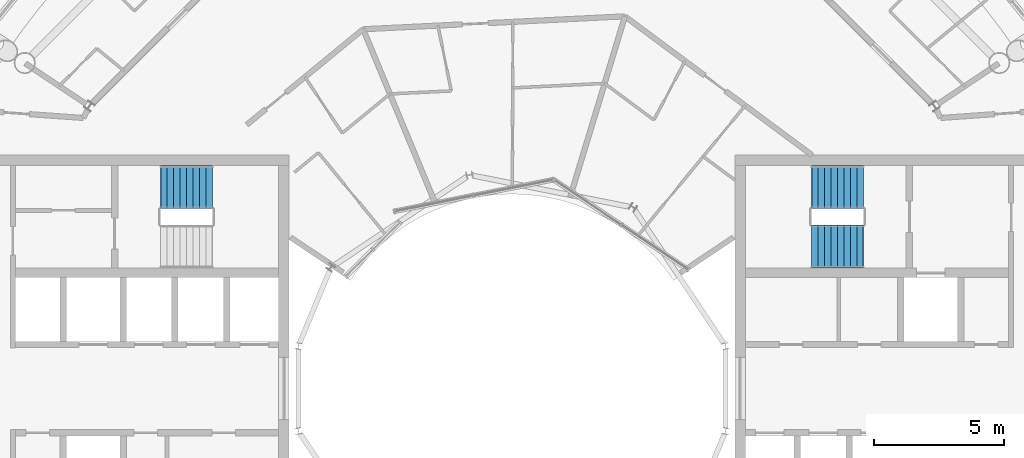
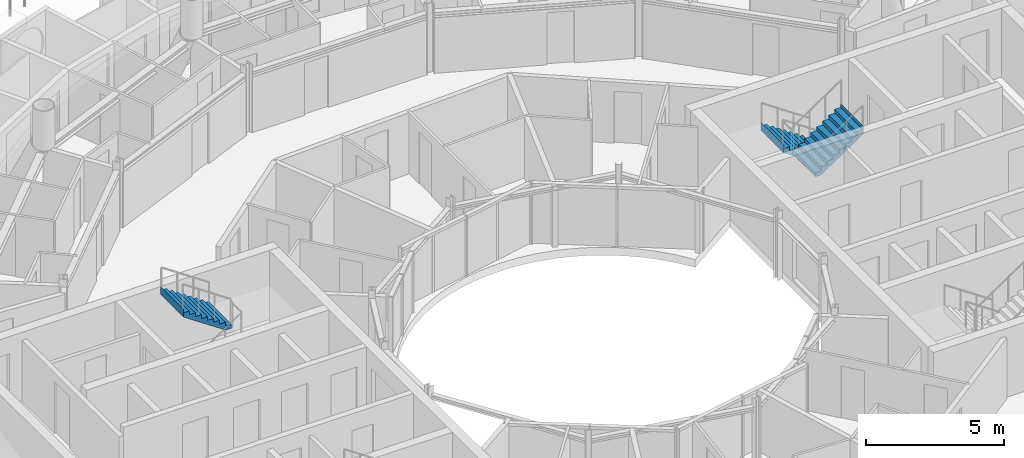
# One storey, part 23 of 25: 3 stair flights, 2 elements without a shape of their own.
"""IFC4 building model written with IfcOpenShell, lengths in metres."""

from ifc_helpers import new_model, si_unit, direction, frame, origin, place, context, subcontext, project, spatial, triangles, material, type_object, element, aggregate, save


model = new_model("IFC4")

# Units and contexts
model_context = context("Model", 3, precision=1e-05, world=origin(), true_north=direction((0.0, 1.0)))
body_context = subcontext(model_context, "Body", "Model", "MODEL_VIEW")
ifc_project = project(units=[si_unit("LENGTHUNIT", "METRE"), si_unit("AREAUNIT", "SQUARE_METRE"), si_unit("VOLUMEUNIT", "CUBIC_METRE"), si_unit("PLANEANGLEUNIT", "RADIAN"), si_unit("MASSUNIT", "GRAM", prefix="KILO")], contexts=[model_context])

# Site, building, storey
site_placement = place(None, origin())
site = spatial("IfcSite", under=ifc_project, at=site_placement, CompositionType="ELEMENT")
building_placement = place(site_placement, origin())
building = spatial("IfcBuilding", under=site, at=building_placement, Name="Maasbend Ring Residences", CompositionType="ELEMENT")
storey_placement = place(building_placement, frame((0.0, 0.0, 246.25)))
storey = spatial("IfcBuildingStorey", under=building, at=storey_placement, Name="L71", CompositionType="ELEMENT", Elevation=246.25)

# Stair, stair flights
ifc_material_1 = material(Name="Concrete C40/50", Category="concrete")
stair_type = type_object("IfcStairType", Name="CORE STAIR 18 RISERS", PredefinedType="HALF_TURN_STAIR", material=ifc_material_1)
stair_1_placement = place(storey_placement, origin())
stair_1 = element("IfcStair", 1, at=stair_1_placement, inside=storey, type_object=stair_type, Name="L71 Exit stair ST-E1", PredefinedType="HALF_TURN_STAIR")
ifc_material_2 = material(Name="Concrete C40/50", Category="concrete")
stair_flight_type = type_object("IfcStairFlightType", Name="CORE STAIR FLIGHT 1650", PredefinedType="STRAIGHT", material=ifc_material_2)
stair_flight_1_placement = place(storey_placement, frame((13.550048828125, 7.77490234375, 0.0), z_axis=(0.0, 0.0, 1.0), x_axis=(-1.0, 0.0, 0.0)))
stair_flight_1 = element("IfcStairFlight", 2, at=stair_flight_1_placement, type_object=stair_flight_type, Name="ST-E1 flight 1", NumberOfRisers=9, NumberOfTreads=8, PredefinedType="STRAIGHT", RiserHeight=0.169444444, TreadLength=0.25, context=body_context, shape_type="Tessellation", body=[
    triangles([(0.24072265625, 0.824951171875, -0.02001953125), (2.0029296875, 0.824951171875, 1.174560546875), (2.0029296875, 0.824951171875, 1.52490234375), (1.989990234375, 0.824951171875, 1.35546875), (1.75, 0.824951171875, 1.35546875), (1.75, 0.824951171875, 1.18603515625), (1.5, 0.824951171875, 1.18603515625), (1.5, 0.824951171875, 1.0166015625), (1.25, 0.824951171875, 1.0166015625), (1.25, 0.824951171875, 0.84716796875), (1.0, 0.824951171875, 0.84716796875), (1.0, 0.824951171875, 0.677734375), (0.75, 0.824951171875, 0.677734375), (0.75, 0.824951171875, 0.50830078125), (0.5, 0.824951171875, 0.50830078125), (0.5, 0.824951171875, 0.3388671875), (0.25, 0.824951171875, 0.3388671875), (0.25, 0.824951171875, 0.16943359375), (0.0, 0.824951171875, 0.16943359375), (0.0, 0.824951171875, 0.0), (-0.0029296875, 0.824951171875, 0.0), (-0.0029296875, 0.824951171875, -0.02001953125), (0.24072265625, 0.27490234375, -0.02001953125), (2.0029296875, 0.27490234375, 1.174560546875), (2.0029296875, 0.27490234375, 1.52490234375), (1.989990234375, 0.27490234375, 1.35546875), (1.75, 0.27490234375, 1.35546875), (1.75, 0.27490234375, 1.18603515625), (1.5, 0.27490234375, 1.18603515625), (1.5, 0.27490234375, 1.0166015625), (1.25, 0.27490234375, 1.0166015625), (1.25, 0.27490234375, 0.84716796875), (1.0, 0.27490234375, 0.84716796875), (1.0, 0.27490234375, 0.677734375), (0.75, 0.27490234375, 0.677734375), (0.75, 0.27490234375, 0.50830078125), (0.5, 0.27490234375, 0.50830078125), (0.5, 0.27490234375, 0.3388671875), (0.25, 0.27490234375, 0.3388671875), (0.25, 0.27490234375, 0.16943359375), (0.0, 0.27490234375, 0.16943359375), (0.0, 0.27490234375, 0.0), (-0.0029296875, 0.27490234375, 0.0), (-0.0029296875, 0.27490234375, -0.02001953125), (0.24072265625, -0.27490234375, -0.02001953125), (2.0029296875, -0.27490234375, 1.174560546875), (2.0029296875, -0.27490234375, 1.52490234375), (1.989990234375, -0.27490234375, 1.35546875), (1.75, -0.27490234375, 1.35546875), (1.75, -0.27490234375, 1.18603515625), (1.5, -0.27490234375, 1.18603515625), (1.5, -0.27490234375, 1.0166015625), (1.25, -0.27490234375, 1.0166015625), (1.25, -0.27490234375, 0.84716796875), (1.0, -0.27490234375, 0.84716796875), (1.0, -0.27490234375, 0.677734375), (0.75, -0.27490234375, 0.677734375), (0.75, -0.27490234375, 0.50830078125), (0.5, -0.27490234375, 0.50830078125), (0.5, -0.27490234375, 0.3388671875), (0.25, -0.27490234375, 0.3388671875), (0.25, -0.27490234375, 0.16943359375), (0.0, -0.27490234375, 0.16943359375), (0.0, -0.27490234375, 0.0), (-0.0029296875, -0.27490234375, 0.0), (-0.0029296875, -0.27490234375, -0.02001953125), (0.24072265625, -0.824951171875, -0.02001953125), (2.0029296875, -0.824951171875, 1.174560546875), (2.0029296875, -0.824951171875, 1.52490234375), (1.989990234375, -0.824951171875, 1.35546875), (1.75, -0.824951171875, 1.35546875), (1.75, -0.824951171875, 1.18603515625), (1.5, -0.824951171875, 1.18603515625), (1.5, -0.824951171875, 1.0166015625), (1.25, -0.824951171875, 1.0166015625), (1.25, -0.824951171875, 0.84716796875), (1.0, -0.824951171875, 0.84716796875), (1.0, -0.824951171875, 0.677734375), (0.75, -0.824951171875, 0.677734375), (0.75, -0.824951171875, 0.50830078125), (0.5, -0.824951171875, 0.50830078125), (0.5, -0.824951171875, 0.3388671875), (0.25, -0.824951171875, 0.3388671875), (0.25, -0.824951171875, 0.16943359375), (0.0, -0.824951171875, 0.16943359375), (0.0, -0.824951171875, 0.0), (-0.0029296875, -0.824951171875, 0.0), (-0.0029296875, -0.824951171875, -0.02001953125)], [[1, 2, 24], [1, 24, 23], [23, 24, 46], [23, 46, 45], [45, 46, 68], [45, 68, 67], [2, 3, 25], [2, 25, 24], [24, 25, 47], [24, 47, 46], [46, 47, 69], [46, 69, 68], [3, 4, 26], [3, 26, 25], [25, 26, 48], [25, 48, 47], [47, 48, 70], [47, 70, 69], [4, 5, 27], [4, 27, 26], [26, 27, 49], [26, 49, 48], [48, 49, 71], [48, 71, 70], [5, 6, 28], [5, 28, 27], [27, 28, 50], [27, 50, 49], [49, 50, 72], [49, 72, 71], [6, 7, 29], [6, 29, 28], [28, 29, 51], [28, 51, 50], [50, 51, 73], [50, 73, 72], [7, 8, 30], [7, 30, 29], [29, 30, 52], [29, 52, 51], [51, 52, 74], [51, 74, 73], [8, 9, 31], [8, 31, 30], [30, 31, 53], [30, 53, 52], [52, 53, 75], [52, 75, 74], [9, 10, 32], [9, 32, 31], [31, 32, 54], [31, 54, 53], [53, 54, 76], [53, 76, 75], [10, 11, 33], [10, 33, 32], [32, 33, 55], [32, 55, 54], [54, 55, 77], [54, 77, 76], [11, 12, 34], [11, 34, 33], [33, 34, 56], [33, 56, 55], [55, 56, 78], [55, 78, 77], [12, 13, 35], [12, 35, 34], [34, 35, 57], [34, 57, 56], [56, 57, 79], [56, 79, 78], [13, 14, 36], [13, 36, 35], [35, 36, 58], [35, 58, 57], [57, 58, 80], [57, 80, 79], [14, 15, 37], [14, 37, 36], [36, 37, 59], [36, 59, 58], [58, 59, 81], [58, 81, 80], [15, 16, 38], [15, 38, 37], [37, 38, 60], [37, 60, 59], [59, 60, 82], [59, 82, 81], [16, 17, 39], [16, 39, 38], [38, 39, 61], [38, 61, 60], [60, 61, 83], [60, 83, 82], [17, 18, 40], [17, 40, 39], [39, 40, 62], [39, 62, 61], [61, 62, 84], [61, 84, 83], [18, 19, 41], [18, 41, 40], [40, 41, 63], [40, 63, 62], [62, 63, 85], [62, 85, 84], [19, 20, 42], [19, 42, 41], [41, 42, 64], [41, 64, 63], [63, 64, 86], [63, 86, 85], [20, 21, 43], [20, 43, 42], [42, 43, 65], [42, 65, 64], [64, 65, 87], [64, 87, 86], [21, 22, 44], [21, 44, 43], [43, 44, 66], [43, 66, 65], [65, 66, 88], [65, 88, 87], [22, 1, 23], [22, 23, 44], [44, 23, 45], [44, 45, 66], [66, 45, 67], [66, 67, 88], [22, 2, 1], [2, 4, 3], [2, 5, 4], [2, 6, 5], [22, 6, 2], [6, 8, 7], [22, 8, 6], [8, 10, 9], [22, 10, 8], [10, 12, 11], [22, 12, 10], [12, 14, 13], [22, 14, 12], [14, 16, 15], [22, 16, 14], [16, 18, 17], [22, 18, 16], [18, 20, 19], [22, 20, 18], [20, 22, 21], [88, 67, 68], [68, 69, 70], [68, 70, 71], [68, 71, 72], [88, 68, 72], [72, 73, 74], [88, 72, 74], [74, 75, 76], [88, 74, 76], [76, 77, 78], [88, 76, 78], [78, 79, 80], [88, 78, 80], [80, 81, 82], [88, 80, 82], [82, 83, 84], [88, 82, 84], [84, 85, 86], [88, 84, 86], [86, 87, 88]], closed=True),
])
stair_flight_2_placement = place(storey_placement, frame((11.550048828125, 5.47509765625, 1.52490234375), z_axis=(0.0, 0.0, 1.0), x_axis=(1.0, 0.0, 0.0)))
stair_flight_2 = element("IfcStairFlight", 3, at=stair_flight_2_placement, type_object=stair_flight_type, Name="ST-E1 flight 2", NumberOfRisers=9, NumberOfTreads=8, PredefinedType="STRAIGHT", RiserHeight=0.169444444, TreadLength=0.25, context=body_context, shape_type="Tessellation", body=[
    triangles([(0.24072265625, 0.824951171875, -0.02001953125), (2.0029296875, 0.824951171875, 1.174560546875), (2.0029296875, 0.824951171875, 1.52490234375), (1.989990234375, 0.824951171875, 1.35546875), (1.75, 0.824951171875, 1.35546875), (1.75, 0.824951171875, 1.18603515625), (1.5, 0.824951171875, 1.18603515625), (1.5, 0.824951171875, 1.0166015625), (1.25, 0.824951171875, 1.0166015625), (1.25, 0.824951171875, 0.84716796875), (1.0, 0.824951171875, 0.84716796875), (1.0, 0.824951171875, 0.677734375), (0.75, 0.824951171875, 0.677734375), (0.75, 0.824951171875, 0.50830078125), (0.5, 0.824951171875, 0.50830078125), (0.5, 0.824951171875, 0.3388671875), (0.25, 0.824951171875, 0.3388671875), (0.25, 0.824951171875, 0.16943359375), (0.0, 0.824951171875, 0.16943359375), (0.0, 0.824951171875, 0.0), (-0.0029296875, 0.824951171875, 0.0), (-0.0029296875, 0.824951171875, -0.02001953125), (0.24072265625, 0.27490234375, -0.02001953125), (2.0029296875, 0.27490234375, 1.174560546875), (2.0029296875, 0.27490234375, 1.52490234375), (1.989990234375, 0.27490234375, 1.35546875), (1.75, 0.27490234375, 1.35546875), (1.75, 0.27490234375, 1.18603515625), (1.5, 0.27490234375, 1.18603515625), (1.5, 0.27490234375, 1.0166015625), (1.25, 0.27490234375, 1.0166015625), (1.25, 0.27490234375, 0.84716796875), (1.0, 0.27490234375, 0.84716796875), (1.0, 0.27490234375, 0.677734375), (0.75, 0.27490234375, 0.677734375), (0.75, 0.27490234375, 0.50830078125), (0.5, 0.27490234375, 0.50830078125), (0.5, 0.27490234375, 0.3388671875), (0.25, 0.27490234375, 0.3388671875), (0.25, 0.27490234375, 0.16943359375), (0.0, 0.27490234375, 0.16943359375), (0.0, 0.27490234375, 0.0), (-0.0029296875, 0.27490234375, 0.0), (-0.0029296875, 0.27490234375, -0.02001953125), (0.24072265625, -0.27490234375, -0.02001953125), (2.0029296875, -0.27490234375, 1.174560546875), (2.0029296875, -0.27490234375, 1.52490234375), (1.989990234375, -0.27490234375, 1.35546875), (1.75, -0.27490234375, 1.35546875), (1.75, -0.27490234375, 1.18603515625), (1.5, -0.27490234375, 1.18603515625), (1.5, -0.27490234375, 1.0166015625), (1.25, -0.27490234375, 1.0166015625), (1.25, -0.27490234375, 0.84716796875), (1.0, -0.27490234375, 0.84716796875), (1.0, -0.27490234375, 0.677734375), (0.75, -0.27490234375, 0.677734375), (0.75, -0.27490234375, 0.50830078125), (0.5, -0.27490234375, 0.50830078125), (0.5, -0.27490234375, 0.3388671875), (0.25, -0.27490234375, 0.3388671875), (0.25, -0.27490234375, 0.16943359375), (0.0, -0.27490234375, 0.16943359375), (0.0, -0.27490234375, 0.0), (-0.0029296875, -0.27490234375, 0.0), (-0.0029296875, -0.27490234375, -0.02001953125), (0.24072265625, -0.824951171875, -0.02001953125), (2.0029296875, -0.824951171875, 1.174560546875), (2.0029296875, -0.824951171875, 1.52490234375), (1.989990234375, -0.824951171875, 1.35546875), (1.75, -0.824951171875, 1.35546875), (1.75, -0.824951171875, 1.18603515625), (1.5, -0.824951171875, 1.18603515625), (1.5, -0.824951171875, 1.0166015625), (1.25, -0.824951171875, 1.0166015625), (1.25, -0.824951171875, 0.84716796875), (1.0, -0.824951171875, 0.84716796875), (1.0, -0.824951171875, 0.677734375), (0.75, -0.824951171875, 0.677734375), (0.75, -0.824951171875, 0.50830078125), (0.5, -0.824951171875, 0.50830078125), (0.5, -0.824951171875, 0.3388671875), (0.25, -0.824951171875, 0.3388671875), (0.25, -0.824951171875, 0.16943359375), (0.0, -0.824951171875, 0.16943359375), (0.0, -0.824951171875, 0.0), (-0.0029296875, -0.824951171875, 0.0), (-0.0029296875, -0.824951171875, -0.02001953125)], [[1, 2, 24], [1, 24, 23], [23, 24, 46], [23, 46, 45], [45, 46, 68], [45, 68, 67], [2, 3, 25], [2, 25, 24], [24, 25, 47], [24, 47, 46], [46, 47, 69], [46, 69, 68], [3, 4, 26], [3, 26, 25], [25, 26, 48], [25, 48, 47], [47, 48, 70], [47, 70, 69], [4, 5, 27], [4, 27, 26], [26, 27, 49], [26, 49, 48], [48, 49, 71], [48, 71, 70], [5, 6, 28], [5, 28, 27], [27, 28, 50], [27, 50, 49], [49, 50, 72], [49, 72, 71], [6, 7, 29], [6, 29, 28], [28, 29, 51], [28, 51, 50], [50, 51, 73], [50, 73, 72], [7, 8, 30], [7, 30, 29], [29, 30, 52], [29, 52, 51], [51, 52, 74], [51, 74, 73], [8, 9, 31], [8, 31, 30], [30, 31, 53], [30, 53, 52], [52, 53, 75], [52, 75, 74], [9, 10, 32], [9, 32, 31], [31, 32, 54], [31, 54, 53], [53, 54, 76], [53, 76, 75], [10, 11, 33], [10, 33, 32], [32, 33, 55], [32, 55, 54], [54, 55, 77], [54, 77, 76], [11, 12, 34], [11, 34, 33], [33, 34, 56], [33, 56, 55], [55, 56, 78], [55, 78, 77], [12, 13, 35], [12, 35, 34], [34, 35, 57], [34, 57, 56], [56, 57, 79], [56, 79, 78], [13, 14, 36], [13, 36, 35], [35, 36, 58], [35, 58, 57], [57, 58, 80], [57, 80, 79], [14, 15, 37], [14, 37, 36], [36, 37, 59], [36, 59, 58], [58, 59, 81], [58, 81, 80], [15, 16, 38], [15, 38, 37], [37, 38, 60], [37, 60, 59], [59, 60, 82], [59, 82, 81], [16, 17, 39], [16, 39, 38], [38, 39, 61], [38, 61, 60], [60, 61, 83], [60, 83, 82], [17, 18, 40], [17, 40, 39], [39, 40, 62], [39, 62, 61], [61, 62, 84], [61, 84, 83], [18, 19, 41], [18, 41, 40], [40, 41, 63], [40, 63, 62], [62, 63, 85], [62, 85, 84], [19, 20, 42], [19, 42, 41], [41, 42, 64], [41, 64, 63], [63, 64, 86], [63, 86, 85], [20, 21, 43], [20, 43, 42], [42, 43, 65], [42, 65, 64], [64, 65, 87], [64, 87, 86], [21, 22, 44], [21, 44, 43], [43, 44, 66], [43, 66, 65], [65, 66, 88], [65, 88, 87], [22, 1, 23], [22, 23, 44], [44, 23, 45], [44, 45, 66], [66, 45, 67], [66, 67, 88], [22, 2, 1], [2, 4, 3], [2, 5, 4], [2, 6, 5], [22, 6, 2], [6, 8, 7], [22, 8, 6], [8, 10, 9], [22, 10, 8], [10, 12, 11], [22, 12, 10], [12, 14, 13], [22, 14, 12], [14, 16, 15], [22, 16, 14], [16, 18, 17], [22, 18, 16], [18, 20, 19], [22, 20, 18], [20, 22, 21], [88, 67, 68], [68, 69, 70], [68, 70, 71], [68, 71, 72], [88, 68, 72], [72, 73, 74], [88, 72, 74], [74, 75, 76], [88, 74, 76], [76, 77, 78], [88, 76, 78], [78, 79, 80], [88, 78, 80], [80, 81, 82], [88, 80, 82], [82, 83, 84], [88, 82, 84], [84, 85, 86], [88, 84, 86], [86, 87, 88]], closed=True),
])
aggregate(stair_1, [stair_flight_1, stair_flight_2])

# Stair, stair flight
stair_2_placement = place(storey_placement, origin())
stair_2 = element("IfcStair", 4, at=stair_2_placement, inside=storey, type_object=stair_type, Name="L71 Exit stair ST-W2", PredefinedType="HALF_TURN_STAIR")
stair_flight_3_placement = place(storey_placement, frame((-11.550048828125, 7.77490234375, 1.52490234375), z_axis=(0.0, 0.0, 1.0), x_axis=(-1.0, 0.0, 0.0)))
stair_flight_3 = element("IfcStairFlight", 5, at=stair_flight_3_placement, type_object=stair_flight_type, Name="ST-W2 flight 2", NumberOfRisers=9, NumberOfTreads=8, PredefinedType="STRAIGHT", RiserHeight=0.169444444, TreadLength=0.25, context=body_context, shape_type="Tessellation", body=[
    triangles([(0.24072265625, 0.824951171875, -0.02001953125), (2.0029296875, 0.824951171875, 1.174560546875), (2.0029296875, 0.824951171875, 1.52490234375), (1.989990234375, 0.824951171875, 1.35546875), (1.75, 0.824951171875, 1.35546875), (1.75, 0.824951171875, 1.18603515625), (1.5, 0.824951171875, 1.18603515625), (1.5, 0.824951171875, 1.0166015625), (1.25, 0.824951171875, 1.0166015625), (1.25, 0.824951171875, 0.84716796875), (1.0, 0.824951171875, 0.84716796875), (1.0, 0.824951171875, 0.677734375), (0.75, 0.824951171875, 0.677734375), (0.75, 0.824951171875, 0.50830078125), (0.5, 0.824951171875, 0.50830078125), (0.5, 0.824951171875, 0.3388671875), (0.25, 0.824951171875, 0.3388671875), (0.25, 0.824951171875, 0.16943359375), (0.0, 0.824951171875, 0.16943359375), (0.0, 0.824951171875, 0.0), (-0.0029296875, 0.824951171875, 0.0), (-0.0029296875, 0.824951171875, -0.02001953125), (0.24072265625, 0.27490234375, -0.02001953125), (2.0029296875, 0.27490234375, 1.174560546875), (2.0029296875, 0.27490234375, 1.52490234375), (1.989990234375, 0.27490234375, 1.35546875), (1.75, 0.27490234375, 1.35546875), (1.75, 0.27490234375, 1.18603515625), (1.5, 0.27490234375, 1.18603515625), (1.5, 0.27490234375, 1.0166015625), (1.25, 0.27490234375, 1.0166015625), (1.25, 0.27490234375, 0.84716796875), (1.0, 0.27490234375, 0.84716796875), (1.0, 0.27490234375, 0.677734375), (0.75, 0.27490234375, 0.677734375), (0.75, 0.27490234375, 0.50830078125), (0.5, 0.27490234375, 0.50830078125), (0.5, 0.27490234375, 0.3388671875), (0.25, 0.27490234375, 0.3388671875), (0.25, 0.27490234375, 0.16943359375), (0.0, 0.27490234375, 0.16943359375), (0.0, 0.27490234375, 0.0), (-0.0029296875, 0.27490234375, 0.0), (-0.0029296875, 0.27490234375, -0.02001953125), (0.24072265625, -0.27490234375, -0.02001953125), (2.0029296875, -0.27490234375, 1.174560546875), (2.0029296875, -0.27490234375, 1.52490234375), (1.989990234375, -0.27490234375, 1.35546875), (1.75, -0.27490234375, 1.35546875), (1.75, -0.27490234375, 1.18603515625), (1.5, -0.27490234375, 1.18603515625), (1.5, -0.27490234375, 1.0166015625), (1.25, -0.27490234375, 1.0166015625), (1.25, -0.27490234375, 0.84716796875), (1.0, -0.27490234375, 0.84716796875), (1.0, -0.27490234375, 0.677734375), (0.75, -0.27490234375, 0.677734375), (0.75, -0.27490234375, 0.50830078125), (0.5, -0.27490234375, 0.50830078125), (0.5, -0.27490234375, 0.3388671875), (0.25, -0.27490234375, 0.3388671875), (0.25, -0.27490234375, 0.16943359375), (0.0, -0.27490234375, 0.16943359375), (0.0, -0.27490234375, 0.0), (-0.0029296875, -0.27490234375, 0.0), (-0.0029296875, -0.27490234375, -0.02001953125), (0.24072265625, -0.824951171875, -0.02001953125), (2.0029296875, -0.824951171875, 1.174560546875), (2.0029296875, -0.824951171875, 1.52490234375), (1.989990234375, -0.824951171875, 1.35546875), (1.75, -0.824951171875, 1.35546875), (1.75, -0.824951171875, 1.18603515625), (1.5, -0.824951171875, 1.18603515625), (1.5, -0.824951171875, 1.0166015625), (1.25, -0.824951171875, 1.0166015625), (1.25, -0.824951171875, 0.84716796875), (1.0, -0.824951171875, 0.84716796875), (1.0, -0.824951171875, 0.677734375), (0.75, -0.824951171875, 0.677734375), (0.75, -0.824951171875, 0.50830078125), (0.5, -0.824951171875, 0.50830078125), (0.5, -0.824951171875, 0.3388671875), (0.25, -0.824951171875, 0.3388671875), (0.25, -0.824951171875, 0.16943359375), (0.0, -0.824951171875, 0.16943359375), (0.0, -0.824951171875, 0.0), (-0.0029296875, -0.824951171875, 0.0), (-0.0029296875, -0.824951171875, -0.02001953125)], [[1, 2, 24], [1, 24, 23], [23, 24, 46], [23, 46, 45], [45, 46, 68], [45, 68, 67], [2, 3, 25], [2, 25, 24], [24, 25, 47], [24, 47, 46], [46, 47, 69], [46, 69, 68], [3, 4, 26], [3, 26, 25], [25, 26, 48], [25, 48, 47], [47, 48, 70], [47, 70, 69], [4, 5, 27], [4, 27, 26], [26, 27, 49], [26, 49, 48], [48, 49, 71], [48, 71, 70], [5, 6, 28], [5, 28, 27], [27, 28, 50], [27, 50, 49], [49, 50, 72], [49, 72, 71], [6, 7, 29], [6, 29, 28], [28, 29, 51], [28, 51, 50], [50, 51, 73], [50, 73, 72], [7, 8, 30], [7, 30, 29], [29, 30, 52], [29, 52, 51], [51, 52, 74], [51, 74, 73], [8, 9, 31], [8, 31, 30], [30, 31, 53], [30, 53, 52], [52, 53, 75], [52, 75, 74], [9, 10, 32], [9, 32, 31], [31, 32, 54], [31, 54, 53], [53, 54, 76], [53, 76, 75], [10, 11, 33], [10, 33, 32], [32, 33, 55], [32, 55, 54], [54, 55, 77], [54, 77, 76], [11, 12, 34], [11, 34, 33], [33, 34, 56], [33, 56, 55], [55, 56, 78], [55, 78, 77], [12, 13, 35], [12, 35, 34], [34, 35, 57], [34, 57, 56], [56, 57, 79], [56, 79, 78], [13, 14, 36], [13, 36, 35], [35, 36, 58], [35, 58, 57], [57, 58, 80], [57, 80, 79], [14, 15, 37], [14, 37, 36], [36, 37, 59], [36, 59, 58], [58, 59, 81], [58, 81, 80], [15, 16, 38], [15, 38, 37], [37, 38, 60], [37, 60, 59], [59, 60, 82], [59, 82, 81], [16, 17, 39], [16, 39, 38], [38, 39, 61], [38, 61, 60], [60, 61, 83], [60, 83, 82], [17, 18, 40], [17, 40, 39], [39, 40, 62], [39, 62, 61], [61, 62, 84], [61, 84, 83], [18, 19, 41], [18, 41, 40], [40, 41, 63], [40, 63, 62], [62, 63, 85], [62, 85, 84], [19, 20, 42], [19, 42, 41], [41, 42, 64], [41, 64, 63], [63, 64, 86], [63, 86, 85], [20, 21, 43], [20, 43, 42], [42, 43, 65], [42, 65, 64], [64, 65, 87], [64, 87, 86], [21, 22, 44], [21, 44, 43], [43, 44, 66], [43, 66, 65], [65, 66, 88], [65, 88, 87], [22, 1, 23], [22, 23, 44], [44, 23, 45], [44, 45, 66], [66, 45, 67], [66, 67, 88], [22, 2, 1], [2, 4, 3], [2, 5, 4], [2, 6, 5], [22, 6, 2], [6, 8, 7], [22, 8, 6], [8, 10, 9], [22, 10, 8], [10, 12, 11], [22, 12, 10], [12, 14, 13], [22, 14, 12], [14, 16, 15], [22, 16, 14], [16, 18, 17], [22, 18, 16], [18, 20, 19], [22, 20, 18], [20, 22, 21], [88, 67, 68], [68, 69, 70], [68, 70, 71], [68, 71, 72], [88, 68, 72], [72, 73, 74], [88, 72, 74], [74, 75, 76], [88, 74, 76], [76, 77, 78], [88, 76, 78], [78, 79, 80], [88, 78, 80], [80, 81, 82], [88, 80, 82], [82, 83, 84], [88, 82, 84], [84, 85, 86], [88, 84, 86], [86, 87, 88]], closed=True),
])
aggregate(stair_2, [stair_flight_3])

save(model, "model.ifc")
